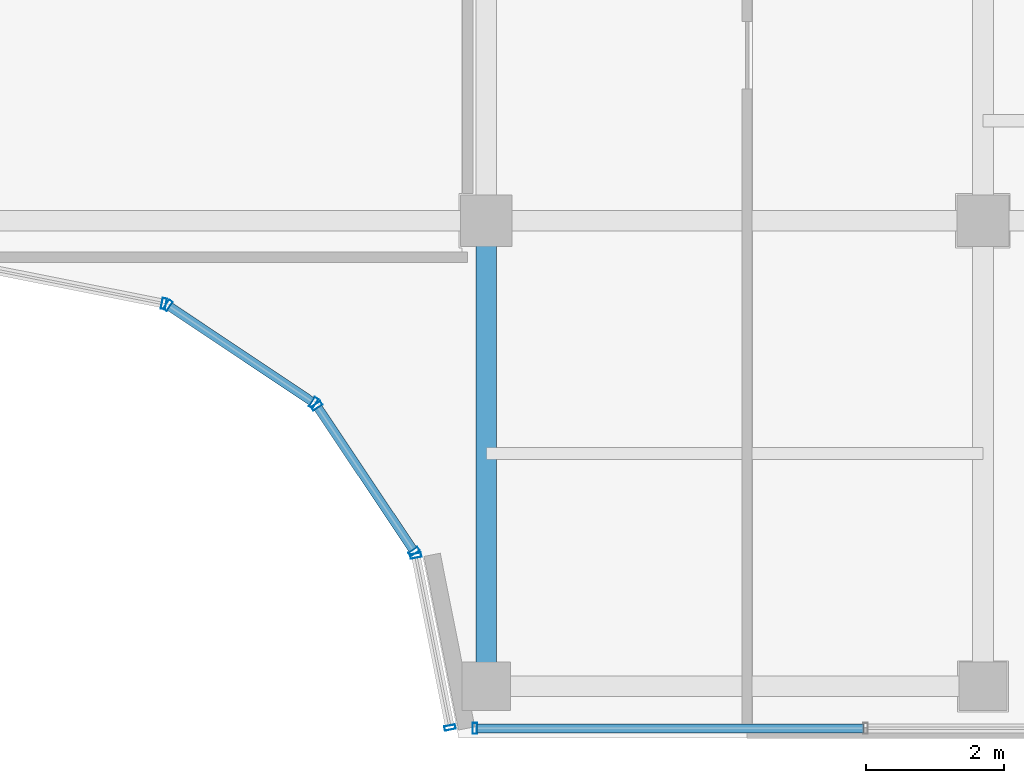
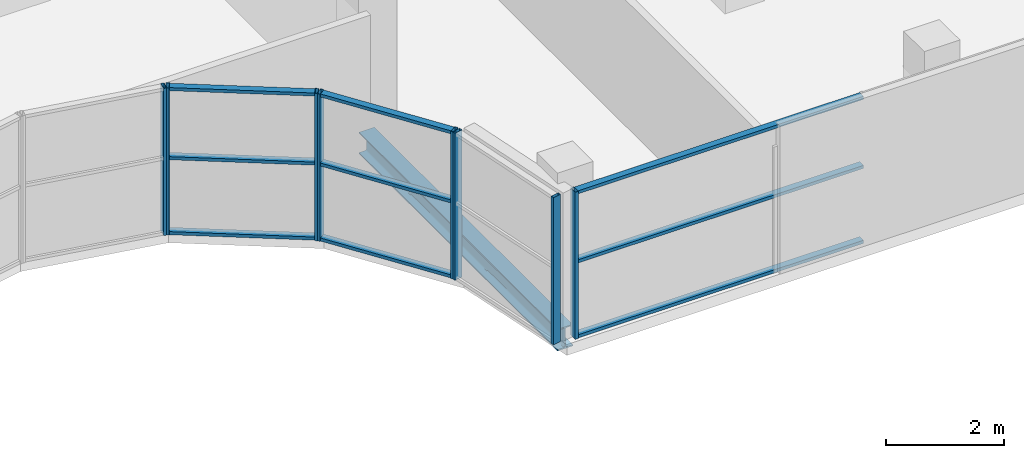
# One storey, part 7 of 29: 17 members, 1 beam, 5 elements without a shape of their own.
"""IFC4 building model written with IfcOpenShell, lengths in metres."""

import ifcopenshell
import ifcopenshell.guid

model = None  # the IFC model being written
_history = None  # IfcOwnerHistory: only IFC2X3 demands one
_inside = {}  # id of a spatial element -> (the spatial element, [elements in it])
_under = {}  # id of a project, library or spatial element -> (it, [spatial elements below it])
_declared = {}  # id of a project -> (the project, [libraries it declares])
_typed = {}  # id of a type object -> (the type object, [elements of that type])
_made_of = {}  # id of a material, layer set ... -> (it, [elements and type objects made of it])


def new_model(schema):
    """Start an empty IFC model of exactly this schema.

    Asked for "IFC4X3", IfcOpenShell would pick the latest addendum, in which some entities
    have other attributes; the version numbers below select the first issue.
    IFC2X3 requires an IfcOwnerHistory on every rooted entity: one is made here for all.
    """
    global model, _history
    if schema == "IFC4X3":
        model = ifcopenshell.file(schema_version=(4, 3, 0, 0))
    else:
        model = ifcopenshell.file(schema=schema)
    _inside.clear()
    _under.clear()
    _declared.clear()
    _typed.clear()
    _made_of.clear()
    _history = None
    if model.schema == "IFC2X3":
        org = make("IfcOrganization", Name="unknown")
        user = make(
            "IfcPersonAndOrganization",
            ThePerson=make("IfcPerson", FamilyName="unknown"),
            TheOrganization=org,
        )
        app = make(
            "IfcApplication",
            ApplicationDeveloper=org,
            Version="unknown",
            ApplicationFullName="unknown",
            ApplicationIdentifier="unknown",
        )
        _history = make(
            "IfcOwnerHistory",
            OwningUser=user,
            OwningApplication=app,
            ChangeAction="ADDED",
            CreationDate=0,
        )
    return model


def make(cls, **values):
    """One entity of the class cls with the attributes given. An attribute that is None is left unset."""
    return model.create_entity(
        cls, **{name: value for name, value in values.items() if value is not None}
    )


def rooted(cls, **values):
    """An entity with a GlobalId (a new one), such as an element, a storey or a relation."""
    return make(cls, GlobalId=ifcopenshell.guid.new(), OwnerHistory=_history, **values)


def si_unit(unit_type, name, prefix=None):
    """IfcSIUnit, for example si_unit("LENGTHUNIT", "METRE", prefix="MILLI")."""
    return make("IfcSIUnit", UnitType=unit_type, Prefix=prefix, Name=name)


def assignment(units):
    """IfcUnitAssignment: the units of a project."""
    return None if units is None else make("IfcUnitAssignment", Units=units)


def point(xyz):
    """IfcCartesianPoint."""
    return None if xyz is None else make("IfcCartesianPoint", Coordinates=xyz)


def direction(xyz):
    """IfcDirection."""
    return None if xyz is None else make("IfcDirection", DirectionRatios=xyz)


def frame(location, z_axis=None, x_axis=None):
    """IfcAxis2Placement3D, a coordinate frame: its origin and axes. An axis left out is left unset."""
    return make(
        "IfcAxis2Placement3D",
        Location=point(location),
        Axis=direction(z_axis),
        RefDirection=direction(x_axis),
    )


def frame_2d(location, x_axis=None):
    """IfcAxis2Placement2D, a coordinate frame in the plane: its origin and x axis."""
    return make(
        "IfcAxis2Placement2D", Location=point(location), RefDirection=direction(x_axis)
    )


def origin():
    """The frame at (0, 0, 0) with its axes left unset."""
    return frame((0.0, 0.0, 0.0))


def origin_2d():
    """The frame at (0, 0) in the plane with its x axis left unset."""
    return frame_2d((0.0, 0.0))


def place(relative_to, where):
    """IfcLocalPlacement: puts the frame where relative to a parent placement (None: the world)."""
    return make(
        "IfcLocalPlacement", PlacementRelTo=relative_to, RelativePlacement=where
    )


def context(
    kind, dimensions, precision=None, world=None, true_north=None, identifier=None
):
    """IfcGeometricRepresentationContext, for example the 3D "Model" context."""
    return make(
        "IfcGeometricRepresentationContext",
        ContextIdentifier=identifier,
        ContextType=kind,
        CoordinateSpaceDimension=dimensions,
        Precision=precision,
        WorldCoordinateSystem=world,
        TrueNorth=true_north,
    )


def subcontext(parent, identifier, kind, view, scale=None):
    """IfcGeometricRepresentationSubContext, for example "Body" below "Model"."""
    return make(
        "IfcGeometricRepresentationSubContext",
        ContextIdentifier=identifier,
        ContextType=kind,
        ParentContext=parent,
        TargetScale=scale,
        TargetView=view,
    )


def project(units=None, contexts=None):
    """IfcProject with its units and contexts."""
    return rooted(
        "IfcProject",
        Name="project",
        RepresentationContexts=contexts,
        UnitsInContext=assignment(units),
    )


def spatial(cls, under=None, at=None, **own):
    """A site, building, storey or space (cls), placed at a placement, below another one or the project."""
    s = rooted(cls, ObjectPlacement=at, **own)
    if under is not None:
        _under.setdefault(under.id(), (under, []))[1].append(s)
    return s


def profile(cls, at=None, kind="AREA", **sizes):
    """A parametric profile (cls). Its sizes go by their IFC names, for example OverallWidth=200.0."""
    return make(cls, ProfileType=kind, Position=at, **sizes)


def hollow_rectangle(**sizes):
    """IfcRectangleHollowProfileDef."""
    return profile("IfcRectangleHollowProfileDef", **sizes)


def i_section(**sizes):
    """IfcIShapeProfileDef."""
    return profile("IfcIShapeProfileDef", **sizes)


def extrude(swept, where, along, depth):
    """IfcExtrudedAreaSolid: the profile swept, set in the frame where, extruded along a direction by depth."""
    return make(
        "IfcExtrudedAreaSolid",
        SweptArea=swept,
        Position=where,
        ExtrudedDirection=direction(along),
        Depth=depth,
    )


def shape(context_of_items, identifier, shape_type, items):
    """IfcShapeRepresentation: the items that make up one representation, for example the "Body"."""
    return make(
        "IfcShapeRepresentation",
        ContextOfItems=context_of_items,
        RepresentationIdentifier=identifier,
        RepresentationType=shape_type,
        Items=items,
    )


def source(mapping_origin, context_of_items, identifier, shape_type, items):
    """IfcRepresentationMap: a shape defined once, which mapped items show again and again."""
    return make(
        "IfcRepresentationMap",
        MappingOrigin=mapping_origin,
        MappedRepresentation=shape(context_of_items, identifier, shape_type, items),
    )


def transform(
    local_origin,
    x_axis=None,
    y_axis=None,
    z_axis=None,
    scale=None,
    scale2=None,
    scale3=None,
    uniform=True,
):
    """IfcCartesianTransformationOperator3D, or its non-uniform kind. x_axis, y_axis, z_axis: its Axis1, 2, 3."""
    if uniform:
        return make(
            "IfcCartesianTransformationOperator3D",
            Axis1=direction(x_axis),
            Axis2=direction(y_axis),
            LocalOrigin=point(local_origin),
            Scale=scale,
            Axis3=direction(z_axis),
        )
    return make(
        "IfcCartesianTransformationOperator3DnonUniform",
        Axis1=direction(x_axis),
        Axis2=direction(y_axis),
        LocalOrigin=point(local_origin),
        Scale=scale,
        Axis3=direction(z_axis),
        Scale2=scale2,
        Scale3=scale3,
    )


def mapped(mapping_source, mapping_target):
    """IfcMappedItem: shows the shape of a source again, moved by a transform."""
    return make(
        "IfcMappedItem", MappingSource=mapping_source, MappingTarget=mapping_target
    )


def material(Name=None, Category=None):
    """IfcMaterial."""
    return make("IfcMaterial", Name=Name, Category=Category)


def layer(
    of_material, thickness, ventilated=None, Name=None, Category=None, Priority=None
):
    """IfcMaterialLayer: one layer of a wall or slab, of a material (None: an air gap)."""
    return make(
        "IfcMaterialLayer",
        Material=of_material,
        LayerThickness=thickness,
        IsVentilated=ventilated,
        Name=Name,
        Category=Category,
        Priority=Priority,
    )


def layer_set(layers, Name=None):
    """IfcMaterialLayerSet."""
    return make("IfcMaterialLayerSet", MaterialLayers=layers, LayerSetName=Name)


def material_profile(
    of_material, cross_section, Name=None, Category=None, Priority=None
):
    """IfcMaterialProfile: a cross section and its material."""
    return make(
        "IfcMaterialProfile",
        Name=Name,
        Material=of_material,
        Profile=cross_section,
        Priority=Priority,
        Category=Category,
    )


def profile_set(profiles, Name=None, composite=None):
    """IfcMaterialProfileSet."""
    return make(
        "IfcMaterialProfileSet",
        Name=Name,
        MaterialProfiles=profiles,
        CompositeProfile=composite,
    )


def made_of(thing, what):
    """Note that an element or type object is made of a material, layer set ...; save() writes the relation."""
    if what is not None:
        _made_of.setdefault(what.id(), (what, []))[1].append(thing)
    return thing


def type_object(cls, material=None, **own):
    """A type object (cls), such as IfcWallType, which elements share."""
    return made_of(rooted(cls, **own), material)


def element(
    cls,
    number,
    at=None,
    inside=None,
    cuts=None,
    type_object=None,
    material=None,
    context=None,
    identifier="Body",
    shape_type=None,
    held_by="IfcProductDefinitionShape",
    body=None,
    shapes=None,
    **own,
):
    """One element of the class cls, such as IfcWall. Its Tag is "e" and its number.

    at: its placement. inside: the storey or other place that contains it. cuts: it is an
    opening in that element (IfcRelVoidsElement). A single representation is given by context,
    identifier, shape_type and body (its items); several are given by shapes. held_by: the class
    of the entity that holds the representations. save() writes the other relations.
    """
    e = rooted(cls, Tag="e%d" % number, ObjectPlacement=at, **own)
    if body is not None:
        shapes = [shape(context, identifier, shape_type, body)]
    if shapes is not None:
        e.Representation = make(held_by, Representations=shapes)
    if inside is not None:
        _inside.setdefault(inside.id(), (inside, []))[1].append(e)
    if cuts is not None:
        rooted(
            "IfcRelVoidsElement", RelatingBuildingElement=cuts, RelatedOpeningElement=e
        )
    if type_object is not None:
        _typed.setdefault(type_object.id(), (type_object, []))[1].append(e)
    return made_of(e, material)


def aggregate(whole, parts):
    """IfcRelAggregates: a whole, such as a stair, and the parts it consists of."""
    return rooted("IfcRelAggregates", RelatingObject=whole, RelatedObjects=parts)


def save(model, path):
    """Write the relations noted so far, then the file.

    IfcRelAggregates (storeys below a building ...), IfcRelContainedInSpatialStructure (elements
    in a storey), IfcRelDefinesByType, IfcRelAssociatesMaterial and IfcRelDeclares: one each for
    every whole, place, type object, material and project.
    """
    for whole, parts in _under.values():
        aggregate(whole, parts)
    for where, things in _inside.values():
        rooted(
            "IfcRelContainedInSpatialStructure",
            RelatedElements=things,
            RelatingStructure=where,
        )
    for kind, things in _typed.values():
        rooted("IfcRelDefinesByType", RelatedObjects=things, RelatingType=kind)
    for what, things in _made_of.values():
        rooted("IfcRelAssociatesMaterial", RelatedObjects=things, RelatingMaterial=what)
    for by, libraries in _declared.values():
        rooted("IfcRelDeclares", RelatingContext=by, RelatedDefinitions=libraries)
    model.write(path)


model = new_model("IFC4")

# Units and contexts
model_context = context("Model", 3, precision=1e-05, world=origin(), true_north=direction((0.0, 1.0)))
body_context = subcontext(model_context, "Body", "Model", "MODEL_VIEW")
ifc_project = project(units=[si_unit("LENGTHUNIT", "METRE"), si_unit("AREAUNIT", "SQUARE_METRE"), si_unit("VOLUMEUNIT", "CUBIC_METRE"), si_unit("PLANEANGLEUNIT", "RADIAN"), si_unit("MASSUNIT", "GRAM", prefix="KILO")], contexts=[model_context])

# Site, building, storey
site_placement = place(None, origin())
site = spatial("IfcSite", under=ifc_project, at=site_placement, CompositionType="ELEMENT")
building_placement = place(site_placement, origin())
building = spatial("IfcBuilding", under=site, at=building_placement, Name="Zarnakvel Exchange Tower", CompositionType="ELEMENT")
storey_placement = place(building_placement, frame((0.0, 0.0, 265.0)))
storey = spatial("IfcBuildingStorey", under=building, at=storey_placement, Name="L75", CompositionType="ELEMENT", Elevation=265.0)

# Beam
ifc_material_1 = material(Name="Steel S355", Category="steel")
ifc_material_profile_1 = material_profile(ifc_material_1, i_section(OverallWidth=0.300048828125, OverallDepth=0.449951171875, WebThickness=0.013916015625, FlangeThickness=0.02587890625, FilletRadius=0.027099609375, at=origin_2d()))
ifc_profile_set_1 = profile_set([ifc_material_profile_1], Name="Steel S355")
beam_type = type_object("IfcBeamType", Name="G-07", PredefinedType="BEAM", material=ifc_profile_set_1)
beam_placement = place(storey_placement, frame((7.199951171875, -16.35009765625, -0.449951171875), z_axis=(0.0, 1.0, 0.0), x_axis=(-1.0, 0.0, 0.0)))
element("IfcBeam", 1, at=beam_placement, inside=storey, type_object=beam_type, Name="L75 Tower N-S Frame Beam", PredefinedType="BEAM", context=body_context, shape_type="SweptSolid", body=[
    extrude(i_section(OverallWidth=0.300048828125, OverallDepth=0.449951171875, WebThickness=0.013916015625, FlangeThickness=0.02587890625, FilletRadius=0.027099609375, at=origin_2d()), origin(), (0.0, 0.0, 1.0), 6.75),
])

# Curtain wall, members
ifc_material_2 = material(Name="Architectural Bronze Anodised Aluminium", Category="aluminium")
ifc_layer = layer(ifc_material_2, 0.159912109375)
ifc_layer_set = layer_set([ifc_layer], Name="Architectural Bronze Anodised Aluminium")
curtain_wall_type = type_object("IfcCurtainWallType", Name="CW-06", PredefinedType="NOTDEFINED", material=ifc_layer_set)
curtain_wall_1_placement = place(storey_placement, origin())
curtain_wall_1 = element("IfcCurtainWall", 2, at=curtain_wall_1_placement, inside=storey, type_object=curtain_wall_type, Name="L75 Curtain Wall CW-L75-NC6 (CW-06)", PredefinedType="NOTDEFINED")
ifc_material_profile_2 = material_profile(ifc_material_2, hollow_rectangle(XDim=0.1298828125, YDim=0.06494140625, WallThickness=0.00390625, at=origin_2d()))
ifc_profile_set_2 = profile_set([ifc_material_profile_2], Name="Architectural Bronze Anodised Aluminium")
member_type_1 = type_object("IfcMemberType", Name="CWT-06", PredefinedType="USERDEFINED", material=ifc_profile_set_2)
shared_shape_1 = source(origin(), body_context, "Body", "SweptSolid", [
    extrude(hollow_rectangle(XDim=0.1298828125, YDim=0.06494140625, WallThickness=0.00390625, at=origin_2d()), origin(), (0.0, 0.0, 1.0), 2.4765625),
])
member_1_placement = place(storey_placement, frame((2.6103515625, -10.844482421875, 0.032470703125), z_axis=(0.831443136401, -0.555609854963, 0.0), x_axis=(0.555609854963, 0.831443136401, 0.0)))
member_1 = element("IfcMember", 3, at=member_1_placement, type_object=member_type_1, Name="CW-06 transom 1.1", ObjectType="TRANSOM", PredefinedType="USERDEFINED", context=body_context, shape_type="MappedRepresentation", body=[
    mapped(shared_shape_1, transform((0.0, 0.0, 0.0), x_axis=(1.0, 0.0, 0.0), y_axis=(0.0, 1.0, 0.0), z_axis=(0.0, 0.0, 1.0), scale=1.0)),
])
member_2_placement = place(storey_placement, frame((2.6103515625, -10.844482421875, 1.588623046875), z_axis=(0.831443136401, -0.555609854963, 0.0), x_axis=(0.555609854963, 0.831443136401, 0.0)))
member_2 = element("IfcMember", 4, at=member_2_placement, type_object=member_type_1, Name="CW-06 transom 1.2", ObjectType="TRANSOM", PredefinedType="USERDEFINED", context=body_context, shape_type="MappedRepresentation", body=[
    mapped(shared_shape_1, transform((0.0, 0.0, 0.0), x_axis=(1.0, 0.0, 0.0), y_axis=(0.0, 1.0, 0.0), z_axis=(0.0, 0.0, 1.0), scale=1.0)),
])
member_3_placement = place(storey_placement, frame((2.6103515625, -10.844482421875, 3.0224609375), z_axis=(0.831443136401, -0.555609854963, 0.0), x_axis=(0.555609854963, 0.831443136401, 0.0)))
member_3 = element("IfcMember", 5, at=member_3_placement, type_object=member_type_1, Name="CW-06 transom 1.3", ObjectType="TRANSOM", PredefinedType="USERDEFINED", context=body_context, shape_type="MappedRepresentation", body=[
    mapped(shared_shape_1, transform((0.0, 0.0, 0.0), x_axis=(1.0, 0.0, 0.0), y_axis=(0.0, 1.0, 0.0), z_axis=(0.0, 0.0, 1.0), scale=1.0)),
])

curtain_wall_2_placement = place(storey_placement, origin())
curtain_wall_2 = element("IfcCurtainWall", 6, at=curtain_wall_2_placement, inside=storey, type_object=curtain_wall_type, Name="L75 Curtain Wall CW-L75-NC7 (CW-06)", PredefinedType="NOTDEFINED")
member_4_placement = place(storey_placement, frame((4.759521484375, -12.310546875, 0.032470703125), z_axis=(0.555609854963, -0.831443136401, 0.0), x_axis=(0.831443136401, 0.555609854963, 0.0)))
member_4 = element("IfcMember", 7, at=member_4_placement, type_object=member_type_1, Name="CW-06 transom 1.1", ObjectType="TRANSOM", PredefinedType="USERDEFINED", context=body_context, shape_type="MappedRepresentation", body=[
    mapped(shared_shape_1, transform((0.0, 0.0, 0.0), x_axis=(1.0, 0.0, 0.0), y_axis=(0.0, 1.0, 0.0), z_axis=(0.0, 0.0, 1.0), scale=1.0)),
])
member_5_placement = place(storey_placement, frame((4.759521484375, -12.310546875, 1.588623046875), z_axis=(0.555609854963, -0.831443136401, 0.0), x_axis=(0.831443136401, 0.555609854963, 0.0)))
member_5 = element("IfcMember", 8, at=member_5_placement, type_object=member_type_1, Name="CW-06 transom 1.2", ObjectType="TRANSOM", PredefinedType="USERDEFINED", context=body_context, shape_type="MappedRepresentation", body=[
    mapped(shared_shape_1, transform((0.0, 0.0, 0.0), x_axis=(1.0, 0.0, 0.0), y_axis=(0.0, 1.0, 0.0), z_axis=(0.0, 0.0, 1.0), scale=1.0)),
])
member_6_placement = place(storey_placement, frame((4.759521484375, -12.310546875, 3.0224609375), z_axis=(0.555609854963, -0.831443136401, 0.0), x_axis=(0.831443136401, 0.555609854963, 0.0)))
member_6 = element("IfcMember", 9, at=member_6_placement, type_object=member_type_1, Name="CW-06 transom 1.3", ObjectType="TRANSOM", PredefinedType="USERDEFINED", context=body_context, shape_type="MappedRepresentation", body=[
    mapped(shared_shape_1, transform((0.0, 0.0, 0.0), x_axis=(1.0, 0.0, 0.0), y_axis=(0.0, 1.0, 0.0), z_axis=(0.0, 0.0, 1.0), scale=1.0)),
])

curtain_wall_3_placement = place(storey_placement, origin())
curtain_wall_3 = element("IfcCurtainWall", 10, at=curtain_wall_3_placement, inside=storey, type_object=curtain_wall_type, Name="L75 Curtain Wall CW-L75-NSE (CW-06)", PredefinedType="NOTDEFINED")
shared_shape_2 = source(origin(), body_context, "Body", "SweptSolid", [
    extrude(hollow_rectangle(XDim=0.1298828125, YDim=0.06494140625, WallThickness=0.00390625, at=origin_2d()), origin(), (0.0, 0.0, 1.0), 5.6025390625),
])
member_7_placement = place(storey_placement, frame((7.06494140625, -16.9599609375, 0.032470703125), z_axis=(1.0, 0.0, 0.0), x_axis=(0.0, 1.0, 0.0)))
member_7 = element("IfcMember", 11, at=member_7_placement, type_object=member_type_1, Name="CW-06 transom 1.1", ObjectType="TRANSOM", PredefinedType="USERDEFINED", context=body_context, shape_type="MappedRepresentation", body=[
    mapped(shared_shape_2, transform((0.0, 0.0, 0.0), x_axis=(1.0, 0.0, 0.0), y_axis=(0.0, 1.0, 0.0), z_axis=(0.0, 0.0, 1.0), scale=1.0)),
])
member_8_placement = place(storey_placement, frame((7.06494140625, -16.9599609375, 1.588623046875), z_axis=(1.0, 0.0, 0.0), x_axis=(0.0, 1.0, 0.0)))
member_8 = element("IfcMember", 12, at=member_8_placement, type_object=member_type_1, Name="CW-06 transom 1.2", ObjectType="TRANSOM", PredefinedType="USERDEFINED", context=body_context, shape_type="MappedRepresentation", body=[
    mapped(shared_shape_2, transform((0.0, 0.0, 0.0), x_axis=(1.0, 0.0, 0.0), y_axis=(0.0, 1.0, 0.0), z_axis=(0.0, 0.0, 1.0), scale=1.0)),
])
member_9_placement = place(storey_placement, frame((7.06494140625, -16.9599609375, 3.0224609375), z_axis=(1.0, 0.0, 0.0), x_axis=(0.0, 1.0, 0.0)))
member_9 = element("IfcMember", 13, at=member_9_placement, type_object=member_type_1, Name="CW-06 transom 1.3", ObjectType="TRANSOM", PredefinedType="USERDEFINED", context=body_context, shape_type="MappedRepresentation", body=[
    mapped(shared_shape_2, transform((0.0, 0.0, 0.0), x_axis=(1.0, 0.0, 0.0), y_axis=(0.0, 1.0, 0.0), z_axis=(0.0, 0.0, 1.0), scale=1.0)),
])

# Curtain wall, member
curtain_wall_4_placement = place(storey_placement, origin())
curtain_wall_4 = element("IfcCurtainWall", 14, at=curtain_wall_4_placement, inside=storey, type_object=curtain_wall_type, Name="L75 Curtain Wall CW-L75-NC5 (CW-06)", PredefinedType="NOTDEFINED")
ifc_material_profile_3 = material_profile(ifc_material_2, hollow_rectangle(XDim=0.159912109375, YDim=0.06494140625, WallThickness=0.00390625, at=origin_2d()))
ifc_profile_set_3 = profile_set([ifc_material_profile_3], Name="Architectural Bronze Anodised Aluminium")
member_type_2 = type_object("IfcMemberType", Name="CWM-06", PredefinedType="MULLION", material=ifc_profile_set_3)
shared_shape_3 = source(origin(), body_context, "Body", "SweptSolid", [
    extrude(hollow_rectangle(XDim=0.159912109375, YDim=0.06494140625, WallThickness=0.00390625, at=origin_2d()), origin(), (0.0, 0.0, 1.0), 3.054931640625),
])
member_10_placement = place(storey_placement, frame((2.5244140625, -10.80224609375, 0.0), z_axis=(0.0, 0.0, 1.0), x_axis=(0.195090448398, 0.980785255264, 0.0)))
member_10 = element("IfcMember", 15, at=member_10_placement, type_object=member_type_2, Name="CW-06 mullion 2", PredefinedType="MULLION", context=body_context, shape_type="MappedRepresentation", body=[
    mapped(shared_shape_3, transform((0.0, 0.0, 0.0), x_axis=(1.0, 0.0, 0.0), y_axis=(0.0, 1.0, 0.0), z_axis=(0.0, 0.0, 1.0), scale=1.0)),
])
aggregate(curtain_wall_4, [member_10])

# Member
member_11_placement = place(storey_placement, frame((2.583251953125, -10.82666015625, 0.0), z_axis=(0.0, 0.0, 1.0), x_axis=(0.555570233339, 0.831469612089, 0.0)))
member_11 = element("IfcMember", 16, at=member_11_placement, type_object=member_type_2, Name="CW-06 mullion 1", PredefinedType="MULLION", context=body_context, shape_type="MappedRepresentation", body=[
    mapped(shared_shape_3, transform((0.0, 0.0, 0.0), x_axis=(1.0, 0.0, 0.0), y_axis=(0.0, 1.0, 0.0), z_axis=(0.0, 0.0, 1.0), scale=1.0)),
])

member_12_placement = place(storey_placement, frame((4.696533203125, -12.238525390625, 0.0), z_axis=(0.0, 0.0, 1.0), x_axis=(0.555570233339, 0.831469612089, 0.0)))
member_12 = element("IfcMember", 17, at=member_12_placement, type_object=member_type_2, Name="CW-06 mullion 2", PredefinedType="MULLION", context=body_context, shape_type="MappedRepresentation", body=[
    mapped(shared_shape_3, transform((0.0, 0.0, 0.0), x_axis=(1.0, 0.0, 0.0), y_axis=(0.0, 1.0, 0.0), z_axis=(0.0, 0.0, 1.0), scale=1.0)),
])

aggregate(curtain_wall_1, [member_11, member_12, member_1, member_2, member_3])

member_13_placement = place(storey_placement, frame((4.741455078125, -12.283447265625, 0.0), z_axis=(0.0, 0.0, 1.0), x_axis=(0.831469612089, 0.555570233339, 0.0)))
member_13 = element("IfcMember", 18, at=member_13_placement, type_object=member_type_2, Name="CW-06 mullion 1", PredefinedType="MULLION", context=body_context, shape_type="MappedRepresentation", body=[
    mapped(shared_shape_3, transform((0.0, 0.0, 0.0), x_axis=(1.0, 0.0, 0.0), y_axis=(0.0, 1.0, 0.0), z_axis=(0.0, 0.0, 1.0), scale=1.0)),
])

member_14_placement = place(storey_placement, frame((6.153564453125, -14.396728515625, 0.0), z_axis=(0.0, 0.0, 1.0), x_axis=(0.831469612089, 0.555570233339, 0.0)))
member_14 = element("IfcMember", 19, at=member_14_placement, type_object=member_type_2, Name="CW-06 mullion 2", PredefinedType="MULLION", context=body_context, shape_type="MappedRepresentation", body=[
    mapped(shared_shape_3, transform((0.0, 0.0, 0.0), x_axis=(1.0, 0.0, 0.0), y_axis=(0.0, 1.0, 0.0), z_axis=(0.0, 0.0, 1.0), scale=1.0)),
])

aggregate(curtain_wall_2, [member_13, member_14, member_4, member_5, member_6])

# Curtain wall, members
curtain_wall_5_placement = place(storey_placement, origin())
curtain_wall_5 = element("IfcCurtainWall", 20, at=curtain_wall_5_placement, inside=storey, type_object=curtain_wall_type, Name="L75 Curtain Wall CW-L75-NC8 (CW-06)", PredefinedType="NOTDEFINED")
member_15_placement = place(storey_placement, frame((6.177734375, -14.45556640625, 0.0), z_axis=(0.0, 0.0, 1.0), x_axis=(0.980785255264, 0.195090448398, 0.0)))
member_15 = element("IfcMember", 21, at=member_15_placement, type_object=member_type_2, Name="CW-06 mullion 1", PredefinedType="MULLION", context=body_context, shape_type="MappedRepresentation", body=[
    mapped(shared_shape_3, transform((0.0, 0.0, 0.0), x_axis=(1.0, 0.0, 0.0), y_axis=(0.0, 1.0, 0.0), z_axis=(0.0, 0.0, 1.0), scale=1.0)),
])
member_16_placement = place(storey_placement, frame((6.673583984375, -16.9482421875, 0.0), z_axis=(0.0, 0.0, 1.0), x_axis=(0.980785255264, 0.195090448398, 0.0)))
member_16 = element("IfcMember", 22, at=member_16_placement, type_object=member_type_2, Name="CW-06 mullion 2", PredefinedType="MULLION", context=body_context, shape_type="MappedRepresentation", body=[
    mapped(shared_shape_3, transform((0.0, 0.0, 0.0), x_axis=(1.0, 0.0, 0.0), y_axis=(0.0, 1.0, 0.0), z_axis=(0.0, 0.0, 1.0), scale=1.0)),
])
aggregate(curtain_wall_5, [member_15, member_16])

# Member
member_17_placement = place(storey_placement, frame((7.032470703125, -16.9599609375, 0.0), z_axis=(0.0, 0.0, 1.0), x_axis=(0.0, 1.0, 0.0)))
member_17 = element("IfcMember", 23, at=member_17_placement, type_object=member_type_2, Name="CW-06 mullion 1", PredefinedType="MULLION", context=body_context, shape_type="MappedRepresentation", body=[
    mapped(shared_shape_3, transform((0.0, 0.0, 0.0), x_axis=(1.0, 0.0, 0.0), y_axis=(0.0, 1.0, 0.0), z_axis=(0.0, 0.0, 1.0), scale=1.0)),
])

aggregate(curtain_wall_3, [member_17, member_7, member_8, member_9])

save(model, "model.ifc")
